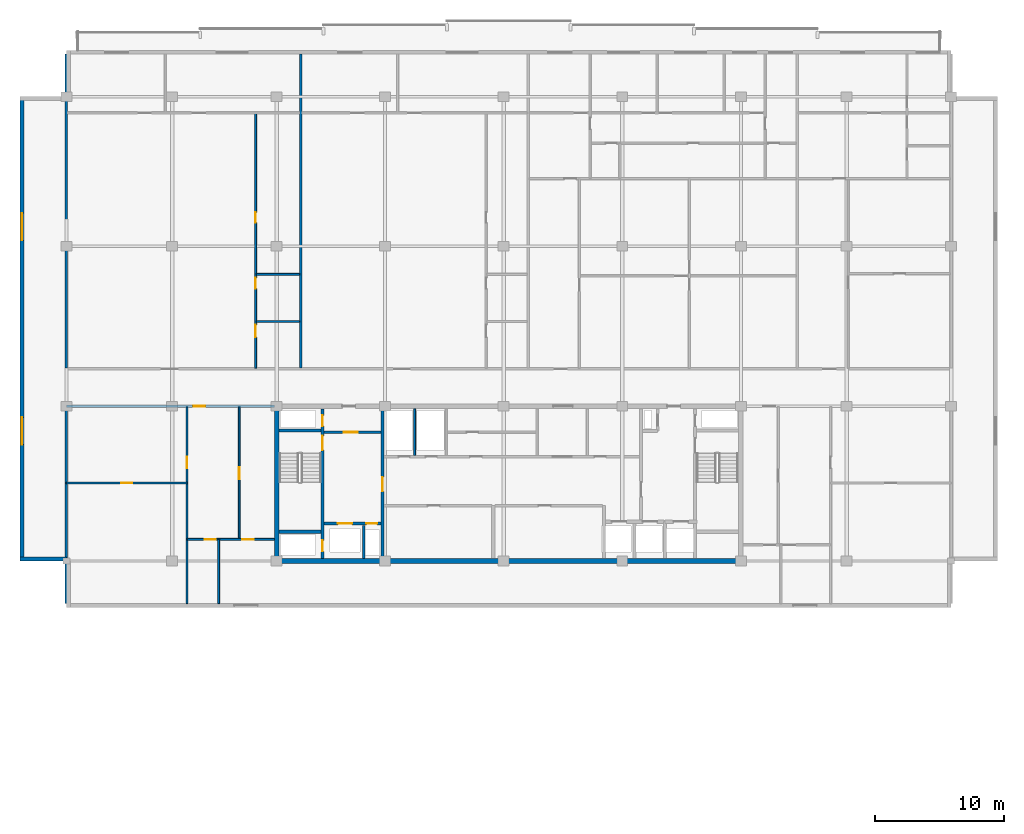
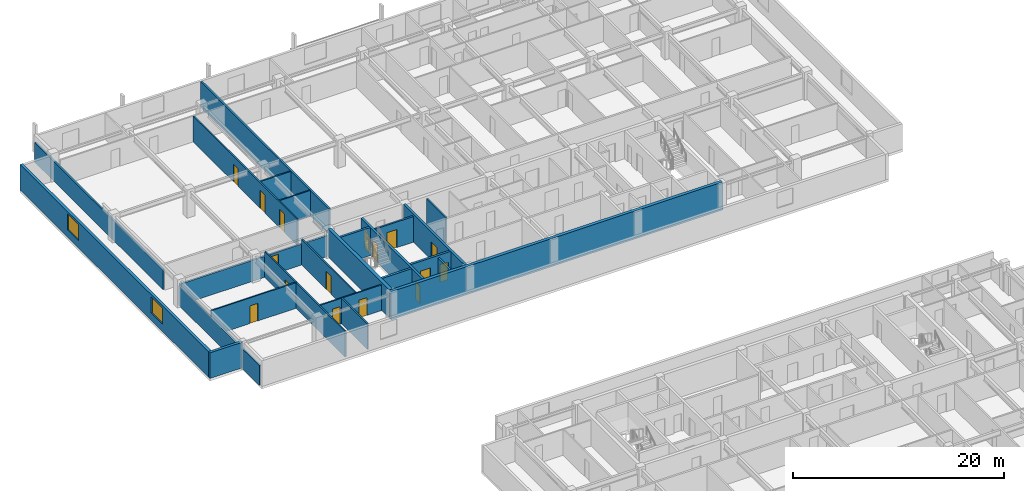
# One storey, part 11 of 22: 24 walls, 16 doors, 2 windows, 18 openings.
"""IFC4 building model written with IfcOpenShell, lengths in metres."""

from ifc_helpers import new_model, si_unit, direction, frame, frame_2d, origin, place, context, subcontext, project, spatial, rectangle, extrude, material, layer, layer_set, type_object, element, fill, save


model = new_model("IFC4")

# Units and contexts
model_context = context("Model", 3, precision=1e-05, world=origin(), true_north=direction((0.0, 1.0)))
body_context = subcontext(model_context, "Body", "Model", "MODEL_VIEW")
ifc_project = project(units=[si_unit("LENGTHUNIT", "METRE"), si_unit("AREAUNIT", "SQUARE_METRE"), si_unit("VOLUMEUNIT", "CUBIC_METRE"), si_unit("PLANEANGLEUNIT", "RADIAN"), si_unit("MASSUNIT", "GRAM", prefix="KILO")], contexts=[model_context])

# Site, building, storey
site_placement = place(None, origin())
site = spatial("IfcSite", under=ifc_project, at=site_placement, CompositionType="ELEMENT")
building_placement = place(site_placement, origin())
building = spatial("IfcBuilding", under=site, at=building_placement, Name="Korimba Cascade Residences", CompositionType="ELEMENT")
storey_placement = place(building_placement, frame((0.0, 0.0, 194.60009765625)))
storey = spatial("IfcBuildingStorey", under=building, at=storey_placement, Name="L56", CompositionType="ELEMENT", Elevation=194.60009765625)

# Wall, openings, windows
ifc_material_1 = material(Name="Precast concrete C40/50", Category="concrete")
ifc_layer_1 = layer(ifc_material_1, 0.300048828125)
ifc_layer_set_1 = layer_set([ifc_layer_1], Name="Precast concrete C40/50")
wall_type_1 = type_object("IfcWallType", Name="EW-STONE-300", PredefinedType="STANDARD", material=ifc_layer_set_1)
wall_1_placement = place(storey_placement, frame((56.35009765625, 91.199951171875, 0.0), z_axis=(0.0, 0.0, 1.0), x_axis=(0.0, -1.0, 0.0)))
wall_1 = element("IfcWall", 1, at=wall_1_placement, inside=storey, type_object=wall_type_1, Name="L56 T1 Perimeter Stone Wall E09", PredefinedType="STANDARD", context=body_context, shape_type="SweptSolid", body=[
    extrude(rectangle(XDim=36.0, YDim=0.300048828125, at=frame_2d((18.0, 0.0))), origin(), (0.0, 0.0, 1.0), 2.969970703125),
])
opening_1_placement = place(wall_1_placement, frame((9.030029296875, 0.0, 0.85009765625)))
opening_1 = element("IfcOpeningElement", 2, at=opening_1_placement, cuts=wall_1, Name="Opening W-03", PredefinedType="OPENING", context=body_context, shape_type="SweptSolid", body=[
    extrude(rectangle(XDim=2.10009765625, YDim=1.85009765625, at=frame_2d((1.050048828125, 0.925048828125))), frame((0.0, 0.16015625, 0.0), z_axis=(0.0, -1.0, 0.0), x_axis=(1.0, 0.0, 0.0)), (0.0, 0.0, 1.0), 0.320068359375),
])
opening_2_placement = place(wall_1_placement, frame((24.8701171875, 0.0, 0.85009765625)))
opening_2 = element("IfcOpeningElement", 3, at=opening_2_placement, cuts=wall_1, Name="Opening W-03", PredefinedType="OPENING", context=body_context, shape_type="SweptSolid", body=[
    extrude(rectangle(XDim=2.10009765625, YDim=1.85009765625, at=frame_2d((1.050048828125, 0.925048828125))), frame((0.0, 0.16015625, 0.0), z_axis=(0.0, -1.0, 0.0), x_axis=(1.0, 0.0, 0.0)), (0.0, 0.0, 1.0), 0.320068359375),
])
ifc_material_2 = material(Name="Double-Glazed Aluminium Window", Category="aluminium")
window_type = type_object("IfcWindowType", Name="WIN-CRN-2100", PartitioningType="DOUBLE_PANEL_HORIZONTAL", PredefinedType="WINDOW", material=ifc_material_2)
window_1_placement = place(opening_1_placement, origin())
window_1 = element("IfcWindow", 4, at=window_1_placement, inside=storey, type_object=window_type, Name="L56 T1 End View Window 9.1", OverallHeight=1.85009765625, OverallWidth=2.10009765625, PartitioningType="DOUBLE_PANEL_HORIZONTAL", PredefinedType="WINDOW", context=body_context, shape_type="SweptSolid", body=[
    extrude(rectangle(XDim=2.10009765625, YDim=1.85009765625, at=frame_2d((1.050048828125, 0.925048828125))), frame((0.0, 0.030029296875, 0.0), z_axis=(0.0, -1.0, 0.0), x_axis=(1.0, 0.0, 0.0)), (0.0, 0.0, 1.0), 0.06005859375),
])
fill(opening_1, window_1)
window_2_placement = place(opening_2_placement, origin())
window_2 = element("IfcWindow", 5, at=window_2_placement, inside=storey, type_object=window_type, Name="L56 T1 End View Window 9.2", OverallHeight=1.85009765625, OverallWidth=2.10009765625, PartitioningType="DOUBLE_PANEL_HORIZONTAL", PredefinedType="WINDOW", context=body_context, shape_type="SweptSolid", body=[
    extrude(rectangle(XDim=2.10009765625, YDim=1.85009765625, at=frame_2d((1.050048828125, 0.925048828125))), frame((0.0, 0.030029296875, 0.0), z_axis=(0.0, -1.0, 0.0), x_axis=(1.0, 0.0, 0.0)), (0.0, 0.0, 1.0), 0.06005859375),
])
fill(opening_2, window_2)

# Walls
wall_2_placement = place(storey_placement, frame((56.199951171875, 55.35009765625, 0.0), z_axis=(0.0, 0.0, 1.0), x_axis=(1.0, 0.0, 0.0)))
element("IfcWall", 6, at=wall_2_placement, inside=storey, type_object=wall_type_1, Name="L56 T1 Perimeter Stone Wall E10", PredefinedType="STANDARD", context=body_context, shape_type="SweptSolid", body=[
    extrude(rectangle(XDim=3.60009765625, YDim=0.300048828125, at=frame_2d((1.800048828125, 0.0))), origin(), (0.0, 0.0, 1.0), 2.969970703125),
])
ifc_material_3 = material(Name="Concrete C65/80", Category="concrete")
ifc_layer_2 = layer(ifc_material_3, 0.35009765625)
ifc_layer_set_2 = layer_set([ifc_layer_2], Name="Concrete C65/80")
wall_type_2 = type_object("IfcWallType", Name="WAL-CORE-350", PredefinedType="SHEAR", material=ifc_layer_set_2)
wall_3_placement = place(storey_placement, frame((75.949951171875, 55.199951171875, 0.0), z_axis=(0.0, 0.0, 1.0), x_axis=(1.0, 0.0, 0.0)))
element("IfcWall", 7, at=wall_3_placement, inside=storey, type_object=wall_type_2, Name="L56 Core Shear Wall CW-L56-T1-S", PredefinedType="SHEAR", context=body_context, shape_type="SweptSolid", body=[
    extrude(rectangle(XDim=36.300048828125, YDim=0.35009765625, at=frame_2d((18.14990234375, 0.0))), origin(), (0.0, 0.0, 1.0), 3.25),
])
wall_4_placement = place(storey_placement, frame((76.125, 55.375, 0.0), z_axis=(0.0, 0.0, 1.0), x_axis=(0.0, 1.0, 0.0)))
element("IfcWall", 8, at=wall_4_placement, inside=storey, type_object=wall_type_2, Name="L56 Core Shear Wall CW-L56-T1-W", PredefinedType="SHEAR", context=body_context, shape_type="SweptSolid", body=[
    extrude(rectangle(XDim=11.64990234375, YDim=0.35009765625, at=frame_2d((5.824951171875, 0.0))), origin(), (0.0, 0.0, 1.0), 3.25),
])
ifc_layer_3 = layer(ifc_material_1, 0.199951171875)
ifc_layer_set_3 = layer_set([ifc_layer_3], Name="Precast concrete C40/50")
wall_type_3 = type_object("IfcWallType", Name="WAL-IT-200", PredefinedType="PARTITIONING", material=ifc_layer_set_3)
wall_5_placement = place(storey_placement, frame((59.800048828125, 51.89990234375, 0.0), z_axis=(0.0, 0.0, 1.0), x_axis=(0.0, 1.0, 0.0)))
element("IfcWall", 9, at=wall_5_placement, inside=storey, type_object=wall_type_3, Name="L56 Partition Wall WAL-L56-T1-FW-WL", PredefinedType="PARTITIONING", context=body_context, shape_type="SweptSolid", body=[
    extrude(rectangle(XDim=15.300048828125, YDim=0.199951171875, at=frame_2d((7.64990234375, 0.0))), origin(), (0.0, 0.0, 1.0), 2.277099609375),
])

# Wall, opening, door
wall_6_placement = place(storey_placement, frame((59.800048828125, 67.199951171875, 0.0), z_axis=(0.0, 0.0, 1.0), x_axis=(1.0, 0.0, 0.0)))
wall_6 = element("IfcWall", 10, at=wall_6_placement, inside=storey, type_object=wall_type_3, Name="L56 Partition Wall WAL-L56-T1-FW-N", PredefinedType="PARTITIONING", context=body_context, shape_type="SweptSolid", body=[
    extrude(rectangle(XDim=16.14990234375, YDim=0.199951171875, at=frame_2d((8.074951171875, 0.0))), origin(), (0.0, 0.0, 1.0), 2.43310546875),
])
opening_3_placement = place(wall_6_placement, frame((9.823486328125, 0.0, 0.0)))
opening_3 = element("IfcOpeningElement", 11, at=opening_3_placement, cuts=wall_6, Name="Opening D-UN1", PredefinedType="OPENING", context=body_context, shape_type="SweptSolid", body=[
    extrude(rectangle(XDim=0.949951171875, YDim=2.14990234375, at=frame_2d((0.47509765625, 1.074951171875))), frame((0.0, 0.10986328125, 0.0), z_axis=(0.0, -1.0, 0.0), x_axis=(1.0, 0.0, 0.0)), (0.0, 0.0, 1.0), 0.219970703125),
])
ifc_material_4 = material(Name="Fire-Rated Hardwood Apartment Entrance Door", Category="wood")
door_type_1 = type_object("IfcDoorType", Name="DR-FD60-950", OperationType="NOTDEFINED", PredefinedType="DOOR", material=ifc_material_4)
door_1_placement = place(opening_3_placement, origin())
door_1 = element("IfcDoor", 12, at=door_1_placement, inside=storey, type_object=door_type_1, Name="L56-T1-FW Entrance Door", OperationType="SINGLE_SWING_LEFT", OverallHeight=2.14990234375, OverallWidth=0.949951171875, PredefinedType="DOOR", context=body_context, shape_type="SweptSolid", body=[
    extrude(rectangle(XDim=0.949951171875, YDim=2.14990234375, at=frame_2d((0.47509765625, 1.074951171875))), frame((0.0, 0.02490234375, 0.0), z_axis=(0.0, -1.0, 0.0), x_axis=(1.0, 0.0, 0.0)), (0.0, 0.0, 1.0), 0.050048828125),
])
fill(opening_3, door_1)

# Walls
wall_7_placement = place(storey_placement, frame((59.800048828125, 70.179931640625, 0.0), z_axis=(0.0, 0.0, 1.0), x_axis=(0.0, 1.0, 0.0)))
element("IfcWall", 13, at=wall_7_placement, inside=storey, type_object=wall_type_3, Name="L56 Partition Wall WAL-L56-T1-BNDWL", PredefinedType="PARTITIONING", context=body_context, shape_type="SweptSolid", body=[
    extrude(rectangle(XDim=24.320068359375, YDim=0.199951171875, at=frame_2d((12.16015625, 0.0))), origin(), (0.0, 0.0, 1.0), 2.277099609375),
])
wall_8_placement = place(storey_placement, frame((77.96826171875, 70.179931640625, 0.0), z_axis=(0.0, 0.0, 1.0), x_axis=(0.0, 1.0, 0.0)))
element("IfcWall", 14, at=wall_8_placement, inside=storey, type_object=wall_type_3, Name="L56 Partition Wall WAL-L56-T1-DEM-1", PredefinedType="PARTITIONING", context=body_context, shape_type="SweptSolid", body=[
    extrude(rectangle(XDim=24.320068359375, YDim=0.199951171875, at=frame_2d((12.16015625, 0.0))), origin(), (0.0, 0.0, 1.0), 2.969970703125),
])
ifc_material_5 = material(Name="Insulated Acoustic Stud Partition", Category="gypsum")
ifc_layer_4 = layer(ifc_material_5, 0.14990234375)
ifc_layer_set_4 = layer_set([ifc_layer_4], Name="Insulated Acoustic Stud Partition")
wall_type_4 = type_object("IfcWallType", Name="WAL-PART-150", PredefinedType="PARTITIONING", material=ifc_layer_set_4)
wall_9_placement = place(storey_placement, frame((86.800048828125, 63.39990234375, 0.0), z_axis=(0.0, 0.0, 1.0), x_axis=(0.0, 1.0, 0.0)))
element("IfcWall", 15, at=wall_9_placement, inside=storey, type_object=wall_type_4, Name="L56 Partition Wall CW-L56-T1-ERDIV", PredefinedType="PARTITIONING", context=body_context, shape_type="SweptSolid", body=[
    extrude(rectangle(XDim=3.60009765625, YDim=0.14990234375, at=frame_2d((1.800048828125, 0.0))), origin(), (0.0, 0.0, 1.0), 2.969970703125),
])

# Wall, opening, door
wall_10_placement = place(storey_placement, frame((59.800048828125, 61.25, 0.0), z_axis=(0.0, 0.0, 1.0), x_axis=(1.0, 0.0, 0.0)))
wall_10 = element("IfcWall", 16, at=wall_10_placement, inside=storey, type_object=wall_type_4, Name="L56 Partition Wall WAL-L56-T1-FW-STH", PredefinedType="PARTITIONING", context=body_context, shape_type="SweptSolid", body=[
    extrude(rectangle(XDim=9.349853515625, YDim=0.14990234375, at=frame_2d((4.6748046875, 0.0))), origin(), (0.0, 0.0, 1.0), 2.969970703125),
])
opening_4_placement = place(wall_10_placement, frame((4.2548828125, 0.0, 0.0)))
opening_4 = element("IfcOpeningElement", 17, at=opening_4_placement, cuts=wall_10, Name="Opening D-BT1", PredefinedType="OPENING", context=body_context, shape_type="SweptSolid", body=[
    extrude(rectangle(XDim=0.840087890625, YDim=2.0400390625, at=frame_2d((0.419921875, 1.02001953125))), frame((0.0, 0.0849609375, 0.0), z_axis=(0.0, -1.0, 0.0), x_axis=(1.0, 0.0, 0.0)), (0.0, 0.0, 1.0), 0.169921875),
])
ifc_material_6 = material(Name="Moisture-Resistant Bathroom Timber Door", Category="wood")
door_type_2 = type_object("IfcDoorType", Name="DR-INT-850", OperationType="NOTDEFINED", PredefinedType="DOOR", material=ifc_material_6)
door_2_placement = place(opening_4_placement, origin())
door_2 = element("IfcDoor", 18, at=door_2_placement, inside=storey, type_object=door_type_2, Name="L56-T1-FW Dressing Store Door", OperationType="SINGLE_SWING_RIGHT", OverallHeight=2.0400390625, OverallWidth=0.840087890625, PredefinedType="DOOR", context=body_context, shape_type="SweptSolid", body=[
    extrude(rectangle(XDim=0.840087890625, YDim=2.0400390625, at=frame_2d((0.419921875, 1.02001953125))), frame((0.0, 0.02490234375, 0.0), z_axis=(0.0, -1.0, 0.0), x_axis=(1.0, 0.0, 0.0)), (0.0, 0.0, 1.0), 0.050048828125),
])
fill(opening_4, door_2)

wall_11_placement = place(storey_placement, frame((69.14990234375, 51.89990234375, 0.0), z_axis=(0.0, 0.0, 1.0), x_axis=(0.0, 1.0, 0.0)))
wall_11 = element("IfcWall", 19, at=wall_11_placement, inside=storey, type_object=wall_type_4, Name="L56 Partition Wall WAL-L56-T1-FW-STV", PredefinedType="PARTITIONING", context=body_context, shape_type="SweptSolid", body=[
    extrude(rectangle(XDim=15.25, YDim=0.14990234375, at=frame_2d((7.625, 0.0))), origin(), (0.0, 0.0, 1.0), 2.969970703125),
])
opening_5_placement = place(wall_11_placement, frame((10.5, 0.0, 0.0)))
opening_5 = element("IfcOpeningElement", 20, at=opening_5_placement, cuts=wall_11, Name="Opening D-IN2", PredefinedType="OPENING", context=body_context, shape_type="SweptSolid", body=[
    extrude(rectangle(XDim=0.8798828125, YDim=2.06005859375, at=frame_2d((0.43994140625, 1.030029296875))), frame((0.0, 0.0849609375, 0.0), z_axis=(0.0, -1.0, 0.0), x_axis=(1.0, 0.0, 0.0)), (0.0, 0.0, 1.0), 0.169921875),
])
ifc_material_7 = material(Name="Acoustic Timber Bedroom Door", Category="wood")
door_type_3 = type_object("IfcDoorType", Name="DR-INT-880", OperationType="NOTDEFINED", PredefinedType="DOOR", material=ifc_material_7)
door_3_placement = place(opening_5_placement, origin())
door_3 = element("IfcDoor", 21, at=door_3_placement, inside=storey, type_object=door_type_3, Name="L56-T1-FW Study Door", OperationType="SINGLE_SWING_LEFT", OverallHeight=2.06005859375, OverallWidth=0.8798828125, PredefinedType="DOOR", context=body_context, shape_type="SweptSolid", body=[
    extrude(rectangle(XDim=0.8798828125, YDim=2.06005859375, at=frame_2d((0.43994140625, 1.030029296875))), frame((0.0, 0.02490234375, 0.0), z_axis=(0.0, -1.0, 0.0), x_axis=(1.0, 0.0, 0.0)), (0.0, 0.0, 1.0), 0.050048828125),
])
fill(opening_5, door_3)

wall_12_placement = place(storey_placement, frame((73.199951171875, 56.8701171875, 0.0), z_axis=(0.0, 0.0, 1.0), x_axis=(0.0, 1.0, 0.0)))
wall_12 = element("IfcWall", 22, at=wall_12_placement, inside=storey, type_object=wall_type_4, Name="L56 Partition Wall WAL-L56-T1-FW-VN", PredefinedType="PARTITIONING", context=body_context, shape_type="SweptSolid", body=[
    extrude(rectangle(XDim=10.27978515625, YDim=0.14990234375, at=frame_2d((5.139892578125, 0.0))), origin(), (0.0, 0.0, 1.0), 2.969970703125),
])
opening_6_placement = place(wall_12_placement, frame((4.679931640625, 0.0, 0.0)))
opening_6 = element("IfcOpeningElement", 23, at=opening_6_placement, cuts=wall_12, Name="Opening D-IN1", PredefinedType="OPENING", context=body_context, shape_type="SweptSolid", body=[
    extrude(rectangle(XDim=0.919921875, YDim=2.080078125, at=frame_2d((0.4599609375, 1.0400390625))), frame((0.0, 0.0849609375, 0.0), z_axis=(0.0, -1.0, 0.0), x_axis=(1.0, 0.0, 0.0)), (0.0, 0.0, 1.0), 0.169921875),
])
ifc_material_8 = material(Name="Acoustic Timber Living Door", Category="wood")
door_type_4 = type_object("IfcDoorType", Name="DR-INT-920", OperationType="NOTDEFINED", PredefinedType="DOOR", material=ifc_material_8)
door_4_placement = place(opening_6_placement, origin())
door_4 = element("IfcDoor", 24, at=door_4_placement, inside=storey, type_object=door_type_4, Name="L56-T1-FW Living Door", OperationType="SINGLE_SWING_RIGHT", OverallHeight=2.080078125, OverallWidth=0.919921875, PredefinedType="DOOR", context=body_context, shape_type="SweptSolid", body=[
    extrude(rectangle(XDim=0.919921875, YDim=2.080078125, at=frame_2d((0.4599609375, 1.0400390625))), frame((0.0, 0.02490234375, 0.0), z_axis=(0.0, -1.0, 0.0), x_axis=(1.0, 0.0, 0.0)), (0.0, 0.0, 1.0), 0.050048828125),
])
fill(opening_6, door_4)

# Wall
wall_13_placement = place(storey_placement, frame((71.60009765625, 51.89990234375, 0.0), z_axis=(0.0, 0.0, 1.0), x_axis=(0.0, 1.0, 0.0)))
element("IfcWall", 25, at=wall_13_placement, inside=storey, type_object=wall_type_4, Name="L56 Partition Wall WAL-L56-T1-FW-VS", PredefinedType="PARTITIONING", context=body_context, shape_type="SweptSolid", body=[
    extrude(rectangle(XDim=4.97021484375, YDim=0.14990234375, at=frame_2d((2.485107421875, 0.0))), origin(), (0.0, 0.0, 1.0), 2.969970703125),
])

# Wall, openings, doors
wall_14_placement = place(storey_placement, frame((69.169921875, 56.8701171875, 0.0), z_axis=(0.0, 0.0, 1.0), x_axis=(1.0, 0.0, 0.0)))
wall_14 = element("IfcWall", 26, at=wall_14_placement, inside=storey, type_object=wall_type_4, Name="L56 Partition Wall WAL-L56-T1-FW-H", PredefinedType="PARTITIONING", context=body_context, shape_type="SweptSolid", body=[
    extrude(rectangle(XDim=6.760009765625, YDim=0.14990234375, at=frame_2d((3.3798828125, 0.0))), origin(), (0.0, 0.0, 1.0), 2.969970703125),
])
opening_7_placement = place(wall_14_placement, frame((1.3623046875, 0.0, 0.0)))
opening_7 = element("IfcOpeningElement", 27, at=opening_7_placement, cuts=wall_14, Name="Opening D-BT1", PredefinedType="OPENING", context=body_context, shape_type="SweptSolid", body=[
    extrude(rectangle(XDim=0.840087890625, YDim=2.0400390625, at=frame_2d((0.419921875, 1.02001953125))), frame((0.0, 0.0849609375, 0.0), z_axis=(0.0, -1.0, 0.0), x_axis=(1.0, 0.0, 0.0)), (0.0, 0.0, 1.0), 0.169921875),
])
opening_8_placement = place(wall_14_placement, frame((4.276611328125, 0.0, 0.0)))
opening_8 = element("IfcOpeningElement", 28, at=opening_8_placement, cuts=wall_14, Name="Opening D-IN2", PredefinedType="OPENING", context=body_context, shape_type="SweptSolid", body=[
    extrude(rectangle(XDim=0.8798828125, YDim=2.06005859375, at=frame_2d((0.43994140625, 1.030029296875))), frame((0.0, 0.0849609375, 0.0), z_axis=(0.0, -1.0, 0.0), x_axis=(1.0, 0.0, 0.0)), (0.0, 0.0, 1.0), 0.169921875),
])
door_5_placement = place(opening_7_placement, origin())
door_5 = element("IfcDoor", 29, at=door_5_placement, inside=storey, type_object=door_type_2, Name="L56-T1-FW Bathroom Door", OperationType="SINGLE_SWING_LEFT", OverallHeight=2.0400390625, OverallWidth=0.840087890625, PredefinedType="DOOR", context=body_context, shape_type="SweptSolid", body=[
    extrude(rectangle(XDim=0.840087890625, YDim=2.0400390625, at=frame_2d((0.419921875, 1.02001953125))), frame((0.0, 0.02490234375, 0.0), z_axis=(0.0, -1.0, 0.0), x_axis=(1.0, 0.0, 0.0)), (0.0, 0.0, 1.0), 0.050048828125),
])
fill(opening_7, door_5)
door_6_placement = place(opening_8_placement, origin())
door_6 = element("IfcDoor", 30, at=door_6_placement, inside=storey, type_object=door_type_3, Name="L56-T1-FW Bedroom Door", OperationType="SINGLE_SWING_RIGHT", OverallHeight=2.06005859375, OverallWidth=0.8798828125, PredefinedType="DOOR", context=body_context, shape_type="SweptSolid", body=[
    extrude(rectangle(XDim=0.8798828125, YDim=2.06005859375, at=frame_2d((0.43994140625, 1.030029296875))), frame((0.0, 0.02490234375, 0.0), z_axis=(0.0, -1.0, 0.0), x_axis=(1.0, 0.0, 0.0)), (0.0, 0.0, 1.0), 0.050048828125),
])
fill(opening_8, door_6)

# Walls
for number, where, z_axis, x_axis, name in (
    (31, (74.5283203125, 73.77001953125, 0.0), (0.0, 0.0, 1.0), (1.0, 0.0, 0.0), "L56 Partition Wall WAL-L56-T1-U01-WCH"),
    (32, (74.5283203125, 77.419921875, 0.0), (0.0, 0.0, 1.0), (1.0, 0.0, 0.0), "L56 Partition Wall WAL-L56-T1-U01-WCH2"),
):
    element("IfcWall", number, at=place(storey_placement, frame(where, z_axis=z_axis, x_axis=x_axis)), inside=storey, type_object=wall_type_4, Name=name, PredefinedType="PARTITIONING", context=body_context, shape_type="SweptSolid", body=[
        extrude(rectangle(XDim=3.35986328125, YDim=0.14990234375, at=frame_2d((1.679931640625, 0.0))), origin(), (0.0, 0.0, 1.0), 2.969970703125),
    ])

# Wall, openings, doors
wall_15_placement = place(storey_placement, frame((74.46826171875, 70.159912109375, 0.0), z_axis=(0.0, 0.0, 1.0), x_axis=(0.0, 1.0, 0.0)))
wall_15 = element("IfcWall", 33, at=wall_15_placement, inside=storey, type_object=wall_type_4, Name="L56 Partition Wall WAL-L56-T1-U01-WCV", PredefinedType="PARTITIONING", context=body_context, shape_type="SweptSolid", body=[
    extrude(rectangle(XDim=19.72998046875, YDim=0.14990234375, at=frame_2d((9.864990234375, 0.0))), origin(), (0.0, 0.0, 1.0), 2.969970703125),
])
opening_9_placement = place(wall_15_placement, frame((2.406005859375, 0.0, 0.0)))
opening_9 = element("IfcOpeningElement", 34, at=opening_9_placement, cuts=wall_15, Name="Opening D-AC1", PredefinedType="OPENING", context=body_context, shape_type="SweptSolid", body=[
    extrude(rectangle(XDim=0.9599609375, YDim=2.10009765625, at=frame_2d((0.47998046875, 1.050048828125))), frame((0.0, 0.0849609375, 0.0), z_axis=(0.0, -1.0, 0.0), x_axis=(1.0, 0.0, 0.0)), (0.0, 0.0, 1.0), 0.169921875),
])
opening_10_placement = place(wall_15_placement, frame((6.132568359375, 0.0, 0.0)))
opening_10 = element("IfcOpeningElement", 35, at=opening_10_placement, cuts=wall_15, Name="Opening D-IN2", PredefinedType="OPENING", context=body_context, shape_type="SweptSolid", body=[
    extrude(rectangle(XDim=0.8798828125, YDim=2.06005859375, at=frame_2d((0.43994140625, 1.030029296875))), frame((0.0, 0.0849609375, 0.0), z_axis=(0.0, -1.0, 0.0), x_axis=(1.0, 0.0, 0.0)), (0.0, 0.0, 1.0), 0.169921875),
])
opening_11_placement = place(wall_15_placement, frame((11.2578125, 0.0, 0.0)))
opening_11 = element("IfcOpeningElement", 36, at=opening_11_placement, cuts=wall_15, Name="Opening D-BT1", PredefinedType="OPENING", context=body_context, shape_type="SweptSolid", body=[
    extrude(rectangle(XDim=0.840087890625, YDim=2.0400390625, at=frame_2d((0.419921875, 1.02001953125))), frame((0.0, 0.0849609375, 0.0), z_axis=(0.0, -1.0, 0.0), x_axis=(1.0, 0.0, 0.0)), (0.0, 0.0, 1.0), 0.169921875),
])
ifc_material_9 = material(Name="Accessible Acoustic Timber WC Door", Category="wood")
door_type_5 = type_object("IfcDoorType", Name="DR-ACC-950", OperationType="NOTDEFINED", PredefinedType="DOOR", material=ifc_material_9)
door_7_placement = place(opening_9_placement, origin())
door_7 = element("IfcDoor", 37, at=door_7_placement, inside=storey, type_object=door_type_5, Name="L56-T1-U01 Accessible WC Door", OperationType="SINGLE_SWING_RIGHT", OverallHeight=2.10009765625, OverallWidth=0.9599609375, PredefinedType="DOOR", context=body_context, shape_type="SweptSolid", body=[
    extrude(rectangle(XDim=0.9599609375, YDim=2.10009765625, at=frame_2d((0.47998046875, 1.050048828125))), frame((0.0, 0.02490234375, 0.0), z_axis=(0.0, -1.0, 0.0), x_axis=(1.0, 0.0, 0.0)), (0.0, 0.0, 1.0), 0.050048828125),
])
fill(opening_9, door_7)
door_8_placement = place(opening_11_placement, origin())
door_8 = element("IfcDoor", 38, at=door_8_placement, inside=storey, type_object=door_type_2, Name="L56-T1-U01 Suite Store Door", OperationType="SINGLE_SWING_RIGHT", OverallHeight=2.0400390625, OverallWidth=0.840087890625, PredefinedType="DOOR", context=body_context, shape_type="SweptSolid", body=[
    extrude(rectangle(XDim=0.840087890625, YDim=2.0400390625, at=frame_2d((0.419921875, 1.02001953125))), frame((0.0, 0.02490234375, 0.0), z_axis=(0.0, -1.0, 0.0), x_axis=(1.0, 0.0, 0.0)), (0.0, 0.0, 1.0), 0.050048828125),
])
fill(opening_11, door_8)
door_9_placement = place(opening_10_placement, origin())
door_9 = element("IfcDoor", 39, at=door_9_placement, inside=storey, type_object=door_type_3, Name="L56-T1-U01 Restroom WC Door", OperationType="SINGLE_SWING_LEFT", OverallHeight=2.06005859375, OverallWidth=0.8798828125, PredefinedType="DOOR", context=body_context, shape_type="SweptSolid", body=[
    extrude(rectangle(XDim=0.8798828125, YDim=2.06005859375, at=frame_2d((0.43994140625, 1.030029296875))), frame((0.0, 0.02490234375, 0.0), z_axis=(0.0, -1.0, 0.0), x_axis=(1.0, 0.0, 0.0)), (0.0, 0.0, 1.0), 0.050048828125),
])
fill(opening_10, door_9)

# Wall
ifc_material_10 = material(Name="Concrete C40/50", Category="concrete")
ifc_layer_5 = layer(ifc_material_10, 0.199951171875)
ifc_layer_set_5 = layer_set([ifc_layer_5], Name="Concrete C40/50")
wall_type_5 = type_object("IfcWallType", Name="WAL-PART-200", PredefinedType="PARTITIONING", material=ifc_layer_set_5)
wall_16_placement = place(storey_placement, frame((82.85009765625, 55.39990234375, 0.0), z_axis=(0.0, 0.0, 1.0), x_axis=(0.0, 1.0, 0.0)))
element("IfcWall", 40, at=wall_16_placement, inside=storey, type_object=wall_type_5, Name="L56 Partition Wall CW-L56-T1-FFLDIV", PredefinedType="PARTITIONING", context=body_context, shape_type="SweptSolid", body=[
    extrude(rectangle(XDim=2.56005859375, YDim=0.199951171875, at=frame_2d((1.280029296875, 0.0))), origin(), (0.0, 0.0, 1.0), 2.969970703125),
])

# Wall, opening, door
wall_17_placement = place(storey_placement, frame((79.7900390625, 65.179931640625, 0.0), z_axis=(0.0, 0.0, 1.0), x_axis=(1.0, 0.0, 0.0)))
wall_17 = element("IfcWall", 41, at=wall_17_placement, inside=storey, type_object=wall_type_5, Name="L56 Partition Wall CW-L56-T1-FFLN", PredefinedType="PARTITIONING", context=body_context, shape_type="SweptSolid", body=[
    extrude(rectangle(XDim=4.389892578125, YDim=0.199951171875, at=frame_2d((2.19482421875, 0.0))), origin(), (0.0, 0.0, 1.0), 2.969970703125),
])
opening_12_placement = place(wall_17_placement, frame((1.5, 0.0, 0.0)))
opening_12 = element("IfcOpeningElement", 42, at=opening_12_placement, cuts=wall_17, Name="Opening D-FD1", PredefinedType="OPENING", context=body_context, shape_type="SweptSolid", body=[
    extrude(rectangle(XDim=1.10009765625, YDim=2.10009765625, at=frame_2d((0.550048828125, 1.050048828125))), frame((0.0, 0.10986328125, 0.0), z_axis=(0.0, -1.0, 0.0), x_axis=(1.0, 0.0, 0.0)), (0.0, 0.0, 1.0), 0.219970703125),
])
ifc_material_11 = material(Name="Fire-Rated Steel Core Door", Category="steel")
door_type_6 = type_object("IfcDoorType", Name="DR-FD120-1100", OperationType="NOTDEFINED", PredefinedType="DOOR", material=ifc_material_11)
door_10_placement = place(opening_12_placement, origin())
door_10 = element("IfcDoor", 43, at=door_10_placement, inside=storey, type_object=door_type_6, Name="L56 West Firefighting Lobby Door", OperationType="SINGLE_SWING_LEFT", OverallHeight=2.10009765625, OverallWidth=1.10009765625, PredefinedType="DOOR", context=body_context, shape_type="SweptSolid", body=[
    extrude(rectangle(XDim=1.10009765625, YDim=2.10009765625, at=frame_2d((0.550048828125, 1.050048828125))), frame((0.0, 0.02490234375, 0.0), z_axis=(0.0, -1.0, 0.0), x_axis=(1.0, 0.0, 0.0)), (0.0, 0.0, 1.0), 0.050048828125),
])
fill(opening_12, door_10)

# Wall, openings, doors
ifc_material_12 = material(Name="Concrete C50/60", Category="concrete")
ifc_layer_6 = layer(ifc_material_12, 0.25)
ifc_layer_set_6 = layer_set([ifc_layer_6], Name="Concrete C50/60")
wall_type_6 = type_object("IfcWallType", Name="WAL-SHAFT-250", PredefinedType="SHEAR", material=ifc_layer_set_6)
wall_18_placement = place(storey_placement, frame((79.6650390625, 55.39990234375, 0.0), z_axis=(0.0, 0.0, 1.0), x_axis=(0.0, 1.0, 0.0)))
wall_18 = element("IfcWall", 44, at=wall_18_placement, inside=storey, type_object=wall_type_6, Name="L56 Core Shear Wall CW-L56-T1-STW1E", PredefinedType="SHEAR", context=body_context, shape_type="SweptSolid", body=[
    extrude(rectangle(XDim=11.60009765625, YDim=0.25, at=frame_2d((5.800048828125, 0.0))), origin(), (0.0, 0.0, 1.0), 3.25),
])
opening_13_placement = place(wall_18_placement, frame((0.550048828125, 0.0, 0.0)))
opening_13 = element("IfcOpeningElement", 45, at=opening_13_placement, cuts=wall_18, Name="Opening D-RS1", PredefinedType="OPENING", context=body_context, shape_type="SweptSolid", body=[
    extrude(rectangle(XDim=0.85009765625, YDim=2.050048828125, at=frame_2d((0.425048828125, 1.02490234375))), frame((0.0, 0.135009765625, 0.0), z_axis=(0.0, -1.0, 0.0), x_axis=(1.0, 0.0, 0.0)), (0.0, 0.0, 1.0), 0.27001953125),
])
opening_14_placement = place(wall_18_placement, frame((8.39990234375, 0.0, 0.0)))
opening_14 = element("IfcOpeningElement", 46, at=opening_14_placement, cuts=wall_18, Name="Opening D-FD1", PredefinedType="OPENING", context=body_context, shape_type="SweptSolid", body=[
    extrude(rectangle(XDim=1.10009765625, YDim=2.10009765625, at=frame_2d((0.550048828125, 1.050048828125))), frame((0.0, 0.135009765625, 0.0), z_axis=(0.0, -1.0, 0.0), x_axis=(1.0, 0.0, 0.0)), (0.0, 0.0, 1.0), 0.27001953125),
])
opening_15_placement = place(wall_18_placement, frame((10.25, 0.0, 0.0)))
opening_15 = element("IfcOpeningElement", 47, at=opening_15_placement, cuts=wall_18, Name="Opening D-RS1", PredefinedType="OPENING", context=body_context, shape_type="SweptSolid", body=[
    extrude(rectangle(XDim=0.85009765625, YDim=2.050048828125, at=frame_2d((0.425048828125, 1.02490234375))), frame((0.0, 0.135009765625, 0.0), z_axis=(0.0, -1.0, 0.0), x_axis=(1.0, 0.0, 0.0)), (0.0, 0.0, 1.0), 0.27001953125),
])
door_11_placement = place(opening_14_placement, origin())
door_11 = element("IfcDoor", 48, at=door_11_placement, inside=storey, type_object=door_type_6, Name="L56 Fire Stair ST-W1 Door", OperationType="SINGLE_SWING_RIGHT", OverallHeight=2.10009765625, OverallWidth=1.10009765625, PredefinedType="DOOR", context=body_context, shape_type="SweptSolid", body=[
    extrude(rectangle(XDim=1.10009765625, YDim=2.10009765625, at=frame_2d((0.550048828125, 1.050048828125))), frame((0.0, 0.02490234375, 0.0), z_axis=(0.0, -1.0, 0.0), x_axis=(1.0, 0.0, 0.0)), (0.0, 0.0, 1.0), 0.050048828125),
])
fill(opening_14, door_11)
ifc_material_13 = material(Name="Fire-Rated Steel Riser Access Door", Category="steel")
door_type_7 = type_object("IfcDoorType", Name="DR-FD60-850", OperationType="NOTDEFINED", PredefinedType="DOOR", material=ifc_material_13)
door_12_placement = place(opening_13_placement, origin())
door_12 = element("IfcDoor", 49, at=door_12_placement, inside=storey, type_object=door_type_7, Name="L56 Smoke Riser Access Door", OperationType="SINGLE_SWING_LEFT", OverallHeight=2.050048828125, OverallWidth=0.85009765625, PredefinedType="DOOR", context=body_context, shape_type="SweptSolid", body=[
    extrude(rectangle(XDim=0.85009765625, YDim=2.050048828125, at=frame_2d((0.425048828125, 1.02490234375))), frame((0.0, 0.02490234375, 0.0), z_axis=(0.0, -1.0, 0.0), x_axis=(1.0, 0.0, 0.0)), (0.0, 0.0, 1.0), 0.050048828125),
])
fill(opening_13, door_12)
door_13_placement = place(opening_15_placement, origin())
door_13 = element("IfcDoor", 50, at=door_13_placement, inside=storey, type_object=door_type_7, Name="L56 Hydrant Riser Access Door", OperationType="SINGLE_SWING_LEFT", OverallHeight=2.050048828125, OverallWidth=0.85009765625, PredefinedType="DOOR", context=body_context, shape_type="SweptSolid", body=[
    extrude(rectangle(XDim=0.85009765625, YDim=2.050048828125, at=frame_2d((0.425048828125, 1.02490234375))), frame((0.0, 0.02490234375, 0.0), z_axis=(0.0, -1.0, 0.0), x_axis=(1.0, 0.0, 0.0)), (0.0, 0.0, 1.0), 0.050048828125),
])
fill(opening_15, door_13)

# Walls
for number, where, z_axis, x_axis, name in (
    (51, (76.300048828125, 57.47509765625, 0.0), (0.0, 0.0, 1.0), (1.0, 0.0, 0.0), "L56 Core Shear Wall CW-L56-T1-STW1S"),
    (52, (76.300048828125, 65.324951171875, 0.0), (0.0, 0.0, 1.0), (1.0, 0.0, 0.0), "L56 Core Shear Wall CW-L56-T1-STW1N"),
):
    element("IfcWall", number, at=place(storey_placement, frame(where, z_axis=z_axis, x_axis=x_axis)), inside=storey, type_object=wall_type_6, Name=name, PredefinedType="SHEAR", context=body_context, shape_type="SweptSolid", body=[
        extrude(rectangle(XDim=3.239990234375, YDim=0.25, at=frame_2d((1.6201171875, 0.0))), origin(), (0.0, 0.0, 1.0), 3.25),
    ])

# Wall, openings, doors
wall_19_placement = place(storey_placement, frame((79.7900390625, 58.10009765625, 0.0), z_axis=(0.0, 0.0, 1.0), x_axis=(1.0, 0.0, 0.0)))
wall_19 = element("IfcWall", 53, at=wall_19_placement, inside=storey, type_object=wall_type_6, Name="L56 Core Shear Wall CW-L56-T1-FFLS", PredefinedType="SHEAR", context=body_context, shape_type="SweptSolid", body=[
    extrude(rectangle(XDim=4.389892578125, YDim=0.25, at=frame_2d((2.19482421875, 0.0))), origin(), (0.0, 0.0, 1.0), 3.25),
])
opening_16_placement = place(wall_19_placement, frame((1.050048828125, 0.0, 0.0)))
opening_16 = element("IfcOpeningElement", 54, at=opening_16_placement, cuts=wall_19, Name="Opening LD-01", PredefinedType="OPENING", context=body_context, shape_type="SweptSolid", body=[
    extrude(rectangle(XDim=1.1201171875, YDim=2.1201171875, at=frame_2d((0.56005859375, 1.06005859375))), frame((0.0, 0.135009765625, 0.0), z_axis=(0.0, -1.0, 0.0), x_axis=(1.0, 0.0, 0.0)), (0.0, 0.0, 1.0), 0.27001953125),
])
opening_17_placement = place(wall_19_placement, frame((3.260009765625, 0.0, 0.0)))
opening_17 = element("IfcOpeningElement", 55, at=opening_17_placement, cuts=wall_19, Name="Opening D-RS1", PredefinedType="OPENING", context=body_context, shape_type="SweptSolid", body=[
    extrude(rectangle(XDim=0.85009765625, YDim=2.050048828125, at=frame_2d((0.425048828125, 1.02490234375))), frame((0.0, 0.135009765625, 0.0), z_axis=(0.0, -1.0, 0.0), x_axis=(1.0, 0.0, 0.0)), (0.0, 0.0, 1.0), 0.27001953125),
])
door_14_placement = place(opening_17_placement, origin())
door_14 = element("IfcDoor", 56, at=door_14_placement, inside=storey, type_object=door_type_7, Name="L56 Pressurisation Riser Door", OperationType="SINGLE_SWING_RIGHT", OverallHeight=2.050048828125, OverallWidth=0.85009765625, PredefinedType="DOOR", context=body_context, shape_type="SweptSolid", body=[
    extrude(rectangle(XDim=0.85009765625, YDim=2.050048828125, at=frame_2d((0.425048828125, 1.02490234375))), frame((0.0, 0.02490234375, 0.0), z_axis=(0.0, -1.0, 0.0), x_axis=(1.0, 0.0, 0.0)), (0.0, 0.0, 1.0), 0.050048828125),
])
fill(opening_17, door_14)
ifc_material_14 = material(Name="Stainless Steel Lift Landing Sliding Door", Category="steel")
door_type_8 = type_object("IfcDoorType", Name="DR-LIFT-1100", OperationType="NOTDEFINED", PredefinedType="DOOR", material=ifc_material_14)
door_15_placement = place(opening_16_placement, origin())
door_15 = element("IfcDoor", 57, at=door_15_placement, inside=storey, type_object=door_type_8, Name="L56 Firefighting Lift Landing Door FFL-W1", OperationType="SLIDING_TO_LEFT", OverallHeight=2.1201171875, OverallWidth=1.1201171875, PredefinedType="DOOR", context=body_context, shape_type="SweptSolid", body=[
    extrude(rectangle(XDim=1.1201171875, YDim=2.1201171875, at=frame_2d((0.56005859375, 1.06005859375))), frame((0.0, 0.02490234375, 0.0), z_axis=(0.0, -1.0, 0.0), x_axis=(1.0, 0.0, 0.0)), (0.0, 0.0, 1.0), 0.050048828125),
])
fill(opening_16, door_15)

# Wall, opening, door
wall_20_placement = place(storey_placement, frame((84.300048828125, 55.39990234375, 0.0), z_axis=(0.0, 0.0, 1.0), x_axis=(0.0, 1.0, 0.0)))
wall_20 = element("IfcWall", 58, at=wall_20_placement, inside=storey, type_object=wall_type_6, Name="L56 Core Shear Wall CW-L56-T1-FFLE", PredefinedType="SHEAR", context=body_context, shape_type="SweptSolid", body=[
    extrude(rectangle(XDim=11.60009765625, YDim=0.25, at=frame_2d((5.800048828125, 0.0))), origin(), (0.0, 0.0, 1.0), 3.25),
])
opening_18_placement = place(wall_20_placement, frame((5.199951171875, 0.0, 0.0)))
opening_18 = element("IfcOpeningElement", 59, at=opening_18_placement, cuts=wall_20, Name="Opening D-FD1", PredefinedType="OPENING", context=body_context, shape_type="SweptSolid", body=[
    extrude(rectangle(XDim=1.10009765625, YDim=2.10009765625, at=frame_2d((0.550048828125, 1.050048828125))), frame((0.0, 0.135009765625, 0.0), z_axis=(0.0, -1.0, 0.0), x_axis=(1.0, 0.0, 0.0)), (0.0, 0.0, 1.0), 0.27001953125),
])
door_16_placement = place(opening_18_placement, origin())
door_16 = element("IfcDoor", 60, at=door_16_placement, inside=storey, type_object=door_type_6, Name="L56 Firefighting Lobby to Lift Lobby Door", OperationType="SINGLE_SWING_RIGHT", OverallHeight=2.10009765625, OverallWidth=1.10009765625, PredefinedType="DOOR", context=body_context, shape_type="SweptSolid", body=[
    extrude(rectangle(XDim=1.10009765625, YDim=2.10009765625, at=frame_2d((0.550048828125, 1.050048828125))), frame((0.0, 0.02490234375, 0.0), z_axis=(0.0, -1.0, 0.0), x_axis=(1.0, 0.0, 0.0)), (0.0, 0.0, 1.0), 0.050048828125),
])
fill(opening_18, door_16)

save(model, "model.ifc")
